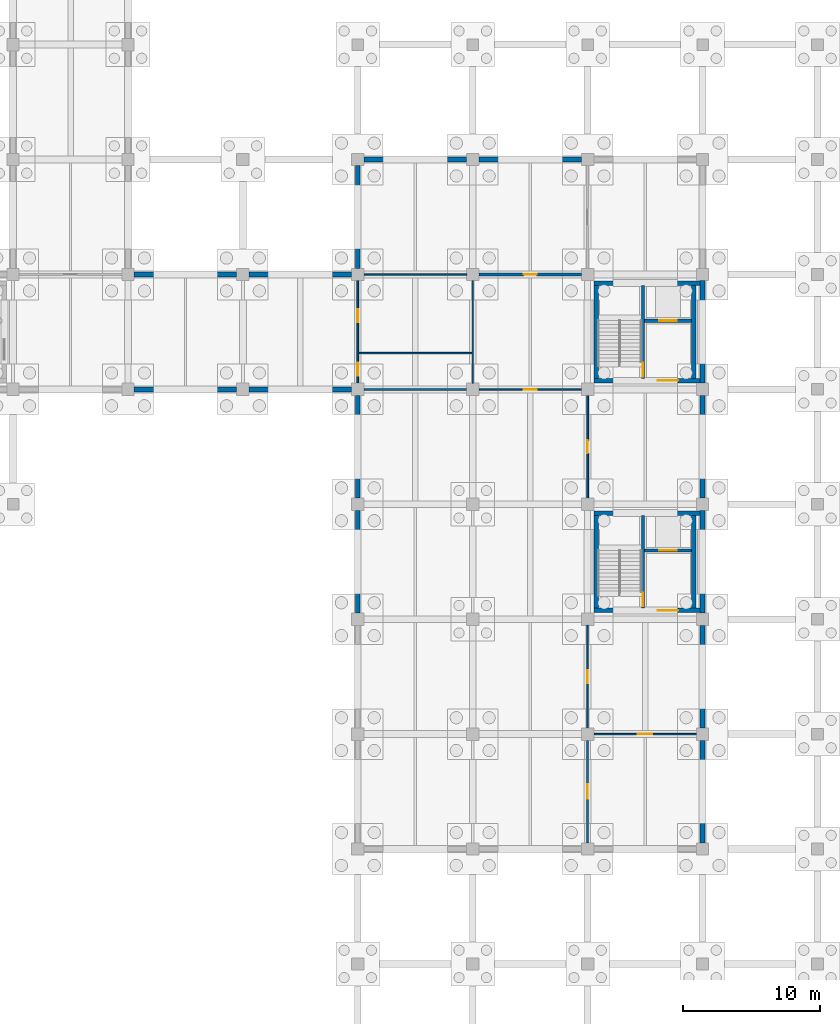
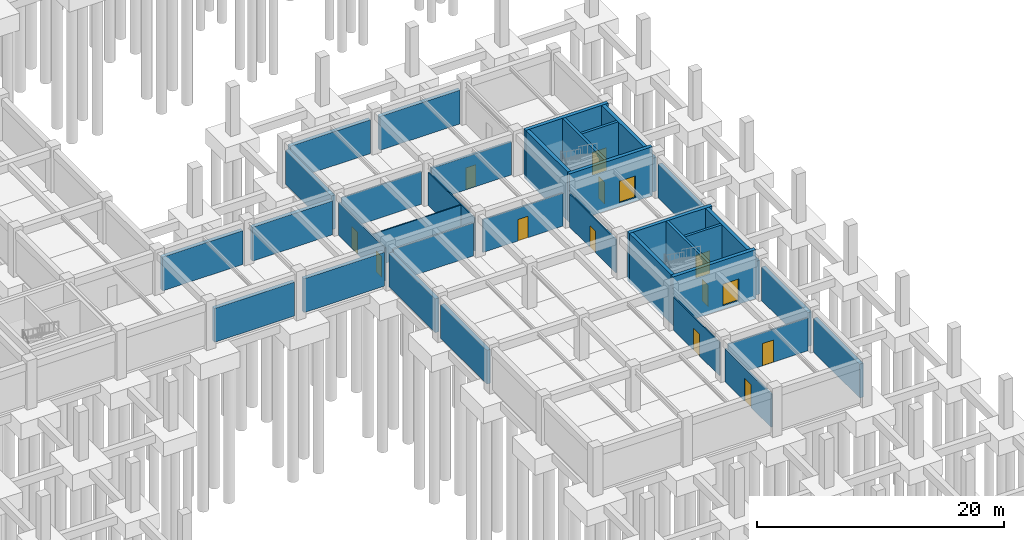
# One storey, part 24 of 29: 37 walls, 14 doors, 14 openings.
"""IFC4 building model written with IfcOpenShell, lengths in metres."""

from ifc_helpers import new_model, si_unit, direction, frame, frame_2d, origin, place, context, subcontext, project, spatial, rectangle, extrude, material, layer, layer_set, type_object, element, fill, save


model = new_model("IFC4")

# Units and contexts
model_context = context("Model", 3, precision=1e-05, world=origin(), true_north=direction((0.0, 1.0)))
body_context = subcontext(model_context, "Body", "Model", "MODEL_VIEW")
ifc_project = project(units=[si_unit("LENGTHUNIT", "METRE"), si_unit("AREAUNIT", "SQUARE_METRE"), si_unit("VOLUMEUNIT", "CUBIC_METRE"), si_unit("PLANEANGLEUNIT", "RADIAN"), si_unit("MASSUNIT", "GRAM", prefix="KILO")], contexts=[model_context])

# Site, building, storey
site_placement = place(None, origin())
site = spatial("IfcSite", under=ifc_project, at=site_placement, CompositionType="ELEMENT")
building_placement = place(site_placement, origin())
building = spatial("IfcBuilding", under=site, at=building_placement, Name="Porcellanite Civic Hall", CompositionType="ELEMENT")
storey_placement = place(building_placement, frame((0.0, 0.0, -4.5)))
storey = spatial("IfcBuildingStorey", under=building, at=storey_placement, Name="B1", CompositionType="ELEMENT", Elevation=-4.5)

# Wall, opening, door
ifc_material_1 = material(Name="Concrete N40 (40 MPa)", Category="concrete")
ifc_layer_1 = layer(ifc_material_1, 0.239990234375)
ifc_layer_set_1 = layer_set([ifc_layer_1], Name="Concrete N40 (40 MPa)")
wall_type_1 = type_object("IfcWallType", Name="CW-SH240", PredefinedType="SHEAR", material=ifc_layer_set_1)
wall_1_placement = place(storey_placement, frame((163.639892578125, 34.409912109375, -0.35009765625), z_axis=(0.0, 0.0, 1.0), x_axis=(0.0, 1.0, 0.0)))
wall_1 = element("IfcWall", 1, at=wall_1_placement, inside=storey, type_object=wall_type_1, Name="Core divider C7 B1", PredefinedType="SHEAR", context=body_context, shape_type="SweptSolid", body=[
    extrude(rectangle(XDim=6.780029296875, YDim=0.239990234375, at=frame_2d((3.39013671875, 0.0))), origin(), (0.0, 0.0, 1.0), 4.85009765625),
])
opening_1_placement = place(wall_1_placement, frame((0.1201171875, 0.0, 0.35009765625)))
opening_1 = element("IfcOpeningElement", 2, at=opening_1_placement, cuts=wall_1, Name="Opening FD-C7-B1-ST", PredefinedType="OPENING", context=body_context, shape_type="SweptSolid", body=[
    extrude(rectangle(XDim=1.0, YDim=2.14990234375, at=frame_2d((0.5, 1.074951171875))), frame((0.0, 0.1201171875, 0.0), z_axis=(0.0, -1.0, 0.0), x_axis=(1.0, 0.0, 0.0)), (0.0, 0.0, 1.0), 0.239990234375),
])
ifc_material_2 = material(Name="Fire-rated solid-core hardwood timber", Category="wood")
door_type_1 = type_object("IfcDoorType", Name="DR-FD100", OperationType="NOTDEFINED", PredefinedType="DOOR", material=ifc_material_2)
door_1_placement = place(opening_1_placement, origin())
door_1 = element("IfcDoor", 3, at=door_1_placement, inside=storey, type_object=door_type_1, Name="Fire stair door FD-C7-B1-ST", OperationType="SINGLE_SWING_RIGHT", OverallHeight=2.14990234375, OverallWidth=1.0, PredefinedType="DOOR", context=body_context, shape_type="SweptSolid", body=[
    extrude(rectangle(XDim=1.0, YDim=2.14990234375, at=frame_2d((0.5, 1.074951171875))), frame((0.0, 0.02490234375, 0.0), z_axis=(0.0, -1.0, 0.0), x_axis=(1.0, 0.0, 0.0)), (0.0, 0.0, 1.0), 0.050048828125),
])
fill(opening_1, door_1)

wall_2_placement = place(storey_placement, frame((163.760009765625, 38.6201171875, -0.35009765625), z_axis=(0.0, 0.0, 1.0), x_axis=(1.0, 0.0, 0.0)))
wall_2 = element("IfcWall", 4, at=wall_2_placement, inside=storey, type_object=wall_type_1, Name="Lift shaft wall C7 B1", PredefinedType="SHEAR", context=body_context, shape_type="SweptSolid", body=[
    extrude(rectangle(XDim=3.429931640625, YDim=0.239990234375, at=frame_2d((1.71484375, 0.0))), origin(), (0.0, 0.0, 1.0), 4.85009765625),
])
opening_2_placement = place(wall_2_placement, frame((1.06494140625, 0.0, 0.35009765625)))
opening_2 = element("IfcOpeningElement", 5, at=opening_2_placement, cuts=wall_2, Name="Opening LD-07", PredefinedType="OPENING", context=body_context, shape_type="SweptSolid", body=[
    extrude(rectangle(XDim=1.300048828125, YDim=2.25, at=frame_2d((0.64990234375, 1.125))), frame((0.0, 0.1201171875, 0.0), z_axis=(0.0, -1.0, 0.0), x_axis=(1.0, 0.0, 0.0)), (0.0, 0.0, 1.0), 0.239990234375),
])
ifc_material_3 = material(Name="Brushed stainless steel 316", Category="steel")
door_type_2 = type_object("IfcDoorType", Name="DR-LD130", OperationType="DOUBLE_DOOR_SLIDING", PredefinedType="DOOR", material=ifc_material_3)
door_2_placement = place(opening_2_placement, origin())
door_2 = element("IfcDoor", 6, at=door_2_placement, inside=storey, type_object=door_type_2, Name="Lift landing sliding door LD-07 B1", OperationType="DOUBLE_DOOR_SLIDING", OverallHeight=2.25, OverallWidth=1.300048828125, PredefinedType="DOOR", context=body_context, shape_type="SweptSolid", body=[
    extrude(rectangle(XDim=1.300048828125, YDim=2.25, at=frame_2d((0.64990234375, 1.125))), frame((0.0, 0.02490234375, 0.0), z_axis=(0.0, -1.0, 0.0), x_axis=(1.0, 0.0, 0.0)), (0.0, 0.0, 1.0), 0.050048828125),
])
fill(opening_2, door_2)

wall_3_placement = place(storey_placement, frame((163.639892578125, 51.2099609375, -0.35009765625), z_axis=(0.0, 0.0, 1.0), x_axis=(0.0, 1.0, 0.0)))
wall_3 = element("IfcWall", 7, at=wall_3_placement, inside=storey, type_object=wall_type_1, Name="Core divider C8 B1", PredefinedType="SHEAR", context=body_context, shape_type="SweptSolid", body=[
    extrude(rectangle(XDim=6.780029296875, YDim=0.239990234375, at=frame_2d((3.39013671875, 0.0))), origin(), (0.0, 0.0, 1.0), 4.85009765625),
])
opening_3_placement = place(wall_3_placement, frame((0.1201171875, 0.0, 0.35009765625)))
opening_3 = element("IfcOpeningElement", 8, at=opening_3_placement, cuts=wall_3, Name="Opening FD-C8-B1-ST", PredefinedType="OPENING", context=body_context, shape_type="SweptSolid", body=[
    extrude(rectangle(XDim=1.0, YDim=2.14990234375, at=frame_2d((0.5, 1.074951171875))), frame((0.0, 0.1201171875, 0.0), z_axis=(0.0, -1.0, 0.0), x_axis=(1.0, 0.0, 0.0)), (0.0, 0.0, 1.0), 0.239990234375),
])
door_3_placement = place(opening_3_placement, origin())
door_3 = element("IfcDoor", 9, at=door_3_placement, inside=storey, type_object=door_type_1, Name="Fire stair door FD-C8-B1-ST", OperationType="SINGLE_SWING_LEFT", OverallHeight=2.14990234375, OverallWidth=1.0, PredefinedType="DOOR", context=body_context, shape_type="SweptSolid", body=[
    extrude(rectangle(XDim=1.0, YDim=2.14990234375, at=frame_2d((0.5, 1.074951171875))), frame((0.0, 0.02490234375, 0.0), z_axis=(0.0, -1.0, 0.0), x_axis=(1.0, 0.0, 0.0)), (0.0, 0.0, 1.0), 0.050048828125),
])
fill(opening_3, door_3)

wall_4_placement = place(storey_placement, frame((163.760009765625, 55.419921875, -0.35009765625), z_axis=(0.0, 0.0, 1.0), x_axis=(1.0, 0.0, 0.0)))
wall_4 = element("IfcWall", 10, at=wall_4_placement, inside=storey, type_object=wall_type_1, Name="Lift shaft wall C8 B1", PredefinedType="SHEAR", context=body_context, shape_type="SweptSolid", body=[
    extrude(rectangle(XDim=3.429931640625, YDim=0.239990234375, at=frame_2d((1.71484375, 0.0))), origin(), (0.0, 0.0, 1.0), 4.85009765625),
])
opening_4_placement = place(wall_4_placement, frame((1.06494140625, 0.0, 0.35009765625)))
opening_4 = element("IfcOpeningElement", 11, at=opening_4_placement, cuts=wall_4, Name="Opening LD-08", PredefinedType="OPENING", context=body_context, shape_type="SweptSolid", body=[
    extrude(rectangle(XDim=1.300048828125, YDim=2.25, at=frame_2d((0.64990234375, 1.125))), frame((0.0, 0.1201171875, 0.0), z_axis=(0.0, -1.0, 0.0), x_axis=(1.0, 0.0, 0.0)), (0.0, 0.0, 1.0), 0.239990234375),
])
door_4_placement = place(opening_4_placement, origin())
door_4 = element("IfcDoor", 12, at=door_4_placement, inside=storey, type_object=door_type_2, Name="Lift landing sliding door LD-08 B1", OperationType="DOUBLE_DOOR_SLIDING", OverallHeight=2.25, OverallWidth=1.300048828125, PredefinedType="DOOR", context=body_context, shape_type="SweptSolid", body=[
    extrude(rectangle(XDim=1.300048828125, YDim=2.25, at=frame_2d((0.64990234375, 1.125))), frame((0.0, 0.02490234375, 0.0), z_axis=(0.0, -1.0, 0.0), x_axis=(1.0, 0.0, 0.0)), (0.0, 0.0, 1.0), 0.050048828125),
])
fill(opening_4, door_4)

ifc_material_4 = material(Name="Concrete N40 (40 MPa)", Category="concrete")
ifc_layer_2 = layer(ifc_material_4, 0.330078125)
ifc_layer_set_2 = layer_set([ifc_layer_2], Name="Concrete N40 (40 MPa)")
wall_type_2 = type_object("IfcWallType", Name="CW-SH330", PredefinedType="SHEAR", material=ifc_layer_set_2)
wall_5_placement = place(storey_placement, frame((167.824951171875, 34.2451171875, -0.35009765625), z_axis=(0.0, 0.0, 1.0), x_axis=(-1.0, 0.0, 0.0)))
wall_5 = element("IfcWall", 13, at=wall_5_placement, inside=storey, type_object=wall_type_2, Name="Core wall C7 B1 S", PredefinedType="SHEAR", context=body_context, shape_type="SweptSolid", body=[
    extrude(rectangle(XDim=7.744873046875, YDim=0.330078125, at=frame_2d((3.87255859375, 0.0))), origin(), (0.0, 0.0, 1.0), 4.85009765625),
])
opening_5_placement = place(wall_5_placement, frame((1.5849609375, 0.0, 0.35009765625)))
opening_5 = element("IfcOpeningElement", 14, at=opening_5_placement, cuts=wall_5, Name="Opening FD-C7-B1-LB", PredefinedType="OPENING", context=body_context, shape_type="SweptSolid", body=[
    extrude(rectangle(XDim=1.5, YDim=2.14990234375, at=frame_2d((0.75, 1.074951171875))), frame((0.0, 0.1650390625, 0.0), z_axis=(0.0, -1.0, 0.0), x_axis=(1.0, 0.0, 0.0)), (0.0, 0.0, 1.0), 0.330078125),
])
ifc_material_5 = material(Name="Fire-rated steel and Georgian wired glass", Category="steel")
door_type_3 = type_object("IfcDoorType", Name="DR-FD150", OperationType="DOUBLE_DOOR_SINGLE_SWING", PredefinedType="DOOR", material=ifc_material_5)
door_5_placement = place(opening_5_placement, origin())
door_5 = element("IfcDoor", 15, at=door_5_placement, inside=storey, type_object=door_type_3, Name="Fire lobby double door FD-C7-B1-LB", OperationType="DOUBLE_DOOR_SINGLE_SWING", OverallHeight=2.14990234375, OverallWidth=1.5, PredefinedType="DOOR", context=body_context, shape_type="SweptSolid", body=[
    extrude(rectangle(XDim=1.5, YDim=2.14990234375, at=frame_2d((0.75, 1.074951171875))), frame((0.0, 0.02490234375, 0.0), z_axis=(0.0, -1.0, 0.0), x_axis=(1.0, 0.0, 0.0)), (0.0, 0.0, 1.0), 0.050048828125),
])
fill(opening_5, door_5)

# Walls
wall_6_placement = place(storey_placement, frame((160.2451171875, 34.409912109375, -0.35009765625), z_axis=(0.0, 0.0, 1.0), x_axis=(0.0, 1.0, 0.0)))
element("IfcWall", 16, at=wall_6_placement, inside=storey, type_object=wall_type_2, Name="Core wall C7 B1 W", PredefinedType="SHEAR", context=body_context, shape_type="SweptSolid", body=[
    extrude(rectangle(XDim=6.780029296875, YDim=0.330078125, at=frame_2d((3.39013671875, 0.0))), origin(), (0.0, 0.0, 1.0), 4.85009765625),
])
wall_7_placement = place(storey_placement, frame((160.080078125, 41.35498046875, -0.35009765625), z_axis=(0.0, 0.0, 1.0), x_axis=(1.0, 0.0, 0.0)))
element("IfcWall", 17, at=wall_7_placement, inside=storey, type_object=wall_type_2, Name="Core wall C7 B1 N", PredefinedType="SHEAR", context=body_context, shape_type="SweptSolid", body=[
    extrude(rectangle(XDim=7.744873046875, YDim=0.330078125, at=frame_2d((3.87255859375, 0.0))), origin(), (0.0, 0.0, 1.0), 4.85009765625),
])
wall_8_placement = place(storey_placement, frame((167.35498046875, 41.18994140625, -0.35009765625), z_axis=(0.0, 0.0, 1.0), x_axis=(0.0, -1.0, 0.0)))
element("IfcWall", 18, at=wall_8_placement, inside=storey, type_object=wall_type_2, Name="Core wall C7 B1 E", PredefinedType="SHEAR", context=body_context, shape_type="SweptSolid", body=[
    extrude(rectangle(XDim=6.780029296875, YDim=0.330078125, at=frame_2d((3.39013671875, 0.0))), origin(), (0.0, 0.0, 1.0), 4.85009765625),
])

# Wall, opening, door
wall_9_placement = place(storey_placement, frame((167.824951171875, 51.044921875, -0.35009765625), z_axis=(0.0, 0.0, 1.0), x_axis=(-1.0, 0.0, 0.0)))
wall_9 = element("IfcWall", 19, at=wall_9_placement, inside=storey, type_object=wall_type_2, Name="Core wall C8 B1 S", PredefinedType="SHEAR", context=body_context, shape_type="SweptSolid", body=[
    extrude(rectangle(XDim=7.744873046875, YDim=0.330078125, at=frame_2d((3.87255859375, 0.0))), origin(), (0.0, 0.0, 1.0), 4.85009765625),
])
opening_6_placement = place(wall_9_placement, frame((1.5849609375, 0.0, 0.35009765625)))
opening_6 = element("IfcOpeningElement", 20, at=opening_6_placement, cuts=wall_9, Name="Opening FD-C8-B1-LB", PredefinedType="OPENING", context=body_context, shape_type="SweptSolid", body=[
    extrude(rectangle(XDim=1.5, YDim=2.14990234375, at=frame_2d((0.75, 1.074951171875))), frame((0.0, 0.1650390625, 0.0), z_axis=(0.0, -1.0, 0.0), x_axis=(1.0, 0.0, 0.0)), (0.0, 0.0, 1.0), 0.330078125),
])
door_6_placement = place(opening_6_placement, origin())
door_6 = element("IfcDoor", 21, at=door_6_placement, inside=storey, type_object=door_type_3, Name="Fire lobby double door FD-C8-B1-LB", OperationType="DOUBLE_DOOR_SINGLE_SWING", OverallHeight=2.14990234375, OverallWidth=1.5, PredefinedType="DOOR", context=body_context, shape_type="SweptSolid", body=[
    extrude(rectangle(XDim=1.5, YDim=2.14990234375, at=frame_2d((0.75, 1.074951171875))), frame((0.0, 0.02490234375, 0.0), z_axis=(0.0, -1.0, 0.0), x_axis=(1.0, 0.0, 0.0)), (0.0, 0.0, 1.0), 0.050048828125),
])
fill(opening_6, door_6)

# Walls
wall_10_placement = place(storey_placement, frame((160.2451171875, 51.2099609375, -0.35009765625), z_axis=(0.0, 0.0, 1.0), x_axis=(0.0, 1.0, 0.0)))
element("IfcWall", 22, at=wall_10_placement, inside=storey, type_object=wall_type_2, Name="Core wall C8 B1 W", PredefinedType="SHEAR", context=body_context, shape_type="SweptSolid", body=[
    extrude(rectangle(XDim=6.780029296875, YDim=0.330078125, at=frame_2d((3.39013671875, 0.0))), origin(), (0.0, 0.0, 1.0), 4.85009765625),
])
wall_11_placement = place(storey_placement, frame((160.080078125, 58.155029296875, -0.35009765625), z_axis=(0.0, 0.0, 1.0), x_axis=(1.0, 0.0, 0.0)))
element("IfcWall", 23, at=wall_11_placement, inside=storey, type_object=wall_type_2, Name="Core wall C8 B1 N", PredefinedType="SHEAR", context=body_context, shape_type="SweptSolid", body=[
    extrude(rectangle(XDim=7.744873046875, YDim=0.330078125, at=frame_2d((3.87255859375, 0.0))), origin(), (0.0, 0.0, 1.0), 4.85009765625),
])
wall_12_placement = place(storey_placement, frame((167.35498046875, 57.989990234375, -0.35009765625), z_axis=(0.0, 0.0, 1.0), x_axis=(0.0, -1.0, 0.0)))
element("IfcWall", 24, at=wall_12_placement, inside=storey, type_object=wall_type_2, Name="Core wall C8 B1 E", PredefinedType="SHEAR", context=body_context, shape_type="SweptSolid", body=[
    extrude(rectangle(XDim=6.780029296875, YDim=0.330078125, at=frame_2d((3.39013671875, 0.0))), origin(), (0.0, 0.0, 1.0), 4.85009765625),
])
ifc_material_6 = material(Name="Concrete N40 (40 MPa)", Category="concrete")
ifc_layer_3 = layer(ifc_material_6, 0.35009765625)
ifc_layer_set_3 = layer_set([ifc_layer_3], Name="Concrete N40 (40 MPa)")
wall_type_3 = type_object("IfcWallType", Name="EW-BSM350", PredefinedType="SOLIDWALL", material=ifc_layer_set_3)
for number, where, z_axis, x_axis, name in (
    (25, (133.948974609375, 50.39990234375, 0.0), (0.0, 0.0, 1.0), (-1.0, 0.0, 0.0), "Exterior wall B1 S 16-7"),
    (26, (126.450927734375, 58.800048828125, 0.0), (0.0, 0.0, 1.0), (1.0, 0.0, 0.0), "Exterior wall B1 N 16-7"),
    (27, (142.34912109375, 50.39990234375, 0.0), (0.0, 0.0, 1.0), (-1.0, 0.0, 0.0), "Exterior wall B1 S 17-7"),
    (28, (134.85107421875, 58.800048828125, 0.0), (0.0, 0.0, 1.0), (1.0, 0.0, 0.0), "Exterior wall B1 N 17-7"),
    (29, (142.800048828125, 34.051025390625, 0.0), (0.0, 0.0, 1.0), (0.0, 1.0, 0.0), "Exterior wall B1 W 18-5"),
    (30, (142.800048828125, 42.450927734375, 0.0), (0.0, 0.0, 1.0), (0.0, 1.0, 0.0), "Exterior wall B1 W 18-6"),
    (31, (142.800048828125, 59.2509765625, 0.0), (0.0, 0.0, 1.0), (0.0, 1.0, 0.0), "Exterior wall B1 W 18-8"),
    (32, (143.2509765625, 67.199951171875, 0.0), (0.0, 0.0, 1.0), (1.0, 0.0, 0.0), "Exterior wall B1 N 18-8"),
    (33, (151.65087890625, 67.199951171875, 0.0), (0.0, 0.0, 1.0), (1.0, 0.0, 0.0), "Exterior wall B1 N 19-8"),
    (34, (168.0, 24.7490234375, 0.0), (0.0, 0.0, 1.0), (0.0, -1.0, 0.0), "Exterior wall B1 E 20-3"),
    (35, (168.0, 33.14892578125, 0.0), (0.0, 0.0, 1.0), (0.0, -1.0, 0.0), "Exterior wall B1 E 20-4"),
    (36, (168.0, 41.549072265625, 0.0), (0.0, 0.0, 1.0), (0.0, -1.0, 0.0), "Exterior wall B1 E 20-5"),
    (37, (168.0, 49.948974609375, 0.0), (0.0, 0.0, 1.0), (0.0, -1.0, 0.0), "Exterior wall B1 E 20-6"),
    (38, (168.0, 58.34912109375, 0.0), (0.0, 0.0, 1.0), (0.0, -1.0, 0.0), "Exterior wall B1 E 20-7"),
):
    element("IfcWall", number, at=place(storey_placement, frame(where, z_axis=z_axis, x_axis=x_axis)), inside=storey, type_object=wall_type_3, Name=name, PredefinedType="SOLIDWALL", context=body_context, shape_type="SweptSolid", body=[
        extrude(rectangle(XDim=7.498046875, YDim=0.35009765625, at=frame_2d((3.7490234375, 0.0))), origin(), (0.0, 0.0, 1.0), 3.35009765625),
    ])
ifc_material_7 = material(Name="Insulated acoustic plasterboard on light-gauge steel studs", Category="steel")
ifc_layer_4 = layer(ifc_material_7, 0.10498046875)
ifc_layer_set_4 = layer_set([ifc_layer_4], Name="Insulated acoustic plasterboard on light-gauge steel studs")
wall_type_4 = type_object("IfcWallType", Name="IW-PT105", PredefinedType="PARTITIONING", material=ifc_layer_set_4)
wall_13_placement = place(storey_placement, frame((143.251953125, 58.800048828125, 0.0), z_axis=(0.0, 0.0, 1.0), x_axis=(1.0, 0.0, 0.0)))
element("IfcWall", 39, at=wall_13_placement, inside=storey, type_object=wall_type_4, Name="Partition B1 H 18-7", PredefinedType="PARTITIONING", context=body_context, shape_type="SweptSolid", body=[
    extrude(rectangle(XDim=7.49609375, YDim=0.10498046875, at=frame_2d((3.748046875, 0.0))), origin(), (0.0, 0.0, 1.0), 3.27001953125),
])
wall_14_placement = place(storey_placement, frame((151.199951171875, 50.85205078125, 0.0), z_axis=(0.0, 0.0, 1.0), x_axis=(0.0, 1.0, 0.0)))
element("IfcWall", 40, at=wall_14_placement, inside=storey, type_object=wall_type_4, Name="Partition B1 V 18-7", PredefinedType="PARTITIONING", context=body_context, shape_type="SweptSolid", body=[
    extrude(rectangle(XDim=7.495849609375, YDim=0.10498046875, at=frame_2d((3.748046875, 0.0))), origin(), (0.0, 0.0, 1.0), 3.27001953125),
])

# Wall, opening, door
wall_15_placement = place(storey_placement, frame((159.60009765625, 25.652099609375, 0.0), z_axis=(0.0, 0.0, 1.0), x_axis=(0.0, 1.0, 0.0)))
wall_15 = element("IfcWall", 41, at=wall_15_placement, inside=storey, type_object=wall_type_4, Name="Partition B1 V 19-4", PredefinedType="PARTITIONING", context=body_context, shape_type="SweptSolid", body=[
    extrude(rectangle(XDim=7.495849609375, YDim=0.10498046875, at=frame_2d((3.748046875, 0.0))), origin(), (0.0, 0.0, 1.0), 3.27001953125),
])
opening_7_placement = place(wall_15_placement, frame((3.26806640625, 0.0, 0.0)))
opening_7 = element("IfcOpeningElement", 42, at=opening_7_placement, cuts=wall_15, Name="Opening D-B1-019", PredefinedType="OPENING", context=body_context, shape_type="SweptSolid", body=[
    extrude(rectangle(XDim=0.9599609375, YDim=2.179931640625, at=frame_2d((0.47998046875, 1.08984375))), frame((0.0, 0.052490234375, 0.0), z_axis=(0.0, -1.0, 0.0), x_axis=(1.0, 0.0, 0.0)), (0.0, 0.0, 1.0), 0.10498046875),
])
ifc_material_8 = material(Name="Solid-core spotted-gum timber", Category="wood")
door_type_4 = type_object("IfcDoorType", Name="DR-RM096", OperationType="NOTDEFINED", PredefinedType="DOOR", material=ifc_material_8)
door_7_placement = place(opening_7_placement, origin())
door_7 = element("IfcDoor", 43, at=door_7_placement, inside=storey, type_object=door_type_4, Name="Interior door D-B1-019", OperationType="SINGLE_SWING_RIGHT", OverallHeight=2.179931640625, OverallWidth=0.9599609375, PredefinedType="DOOR", context=body_context, shape_type="SweptSolid", body=[
    extrude(rectangle(XDim=0.9599609375, YDim=2.179931640625, at=frame_2d((0.47998046875, 1.08984375))), frame((0.0, 0.02490234375, 0.0), z_axis=(0.0, -1.0, 0.0), x_axis=(1.0, 0.0, 0.0)), (0.0, 0.0, 1.0), 0.050048828125),
])
fill(opening_7, door_7)

# Wall
wall_16_placement = place(storey_placement, frame((142.869384765625, 53.050048828125, 0.0), z_axis=(0.0, 0.0, 1.0), x_axis=(1.0, 0.0, 0.0)))
element("IfcWall", 44, at=wall_16_placement, inside=storey, type_object=wall_type_4, Name="Partition B1 sub 18-7", PredefinedType="PARTITIONING", context=body_context, shape_type="SweptSolid", body=[
    extrude(rectangle(XDim=8.276123046875, YDim=0.10498046875, at=frame_2d((4.13818359375, 0.0))), origin(), (0.0, 0.0, 1.0), 3.27001953125),
])

# Wall, opening, door
ifc_material_9 = material(Name="Insulated acoustic plasterboard on light-gauge steel studs", Category="steel")
ifc_layer_5 = layer(ifc_material_9, 0.125)
ifc_layer_set_5 = layer_set([ifc_layer_5], Name="Insulated acoustic plasterboard on light-gauge steel studs")
wall_type_5 = type_object("IfcWallType", Name="IW-PT125", PredefinedType="PARTITIONING", material=ifc_layer_set_5)
wall_17_placement = place(storey_placement, frame((151.652099609375, 50.39990234375, 0.0), z_axis=(0.0, 0.0, 1.0), x_axis=(1.0, 0.0, 0.0)))
wall_17 = element("IfcWall", 45, at=wall_17_placement, inside=storey, type_object=wall_type_5, Name="Partition B1 H 19-6", PredefinedType="PARTITIONING", context=body_context, shape_type="SweptSolid", body=[
    extrude(rectangle(XDim=7.495849609375, YDim=0.125, at=frame_2d((3.748046875, 0.0))), origin(), (0.0, 0.0, 1.0), 3.27001953125),
])
opening_8_placement = place(wall_17_placement, frame((3.262939453125, 0.0, 0.0)))
opening_8 = element("IfcOpeningElement", 46, at=opening_8_placement, cuts=wall_17, Name="Opening D-B1-024", PredefinedType="OPENING", context=body_context, shape_type="SweptSolid", body=[
    extrude(rectangle(XDim=0.969970703125, YDim=2.1201171875, at=frame_2d((0.48486328125, 1.06005859375))), frame((0.0, 0.0625, 0.0), z_axis=(0.0, -1.0, 0.0), x_axis=(1.0, 0.0, 0.0)), (0.0, 0.0, 1.0), 0.125),
])
ifc_material_10 = material(Name="Solid-core spotted-gum timber", Category="wood")
door_type_5 = type_object("IfcDoorType", Name="DR-RM097", OperationType="NOTDEFINED", PredefinedType="DOOR", material=ifc_material_10)
door_8_placement = place(opening_8_placement, origin())
door_8 = element("IfcDoor", 47, at=door_8_placement, inside=storey, type_object=door_type_5, Name="Interior door D-B1-024", OperationType="SINGLE_SWING_LEFT", OverallHeight=2.1201171875, OverallWidth=0.969970703125, PredefinedType="DOOR", context=body_context, shape_type="SweptSolid", body=[
    extrude(rectangle(XDim=0.969970703125, YDim=2.1201171875, at=frame_2d((0.48486328125, 1.06005859375))), frame((0.0, 0.02490234375, 0.0), z_axis=(0.0, -1.0, 0.0), x_axis=(1.0, 0.0, 0.0)), (0.0, 0.0, 1.0), 0.050048828125),
])
fill(opening_8, door_8)

wall_18_placement = place(storey_placement, frame((160.052001953125, 25.199951171875, 0.0), z_axis=(0.0, 0.0, 1.0), x_axis=(1.0, 0.0, 0.0)))
wall_18 = element("IfcWall", 48, at=wall_18_placement, inside=storey, type_object=wall_type_5, Name="Partition B1 H 20-3", PredefinedType="PARTITIONING", context=body_context, shape_type="SweptSolid", body=[
    extrude(rectangle(XDim=7.49609375, YDim=0.125, at=frame_2d((3.748046875, 0.0))), origin(), (0.0, 0.0, 1.0), 3.27001953125),
])
opening_9_placement = place(wall_18_placement, frame((3.22802734375, 0.0, 0.0)))
opening_9 = element("IfcOpeningElement", 49, at=opening_9_placement, cuts=wall_18, Name="Opening D-B1-015", PredefinedType="OPENING", context=body_context, shape_type="SweptSolid", body=[
    extrude(rectangle(XDim=1.0400390625, YDim=2.199951171875, at=frame_2d((0.52001953125, 1.10009765625))), frame((0.0, 0.0625, 0.0), z_axis=(0.0, -1.0, 0.0), x_axis=(1.0, 0.0, 0.0)), (0.0, 0.0, 1.0), 0.125),
])
ifc_material_11 = material(Name="Solid-core spotted-gum timber", Category="wood")
door_type_6 = type_object("IfcDoorType", Name="DR-RM104", OperationType="NOTDEFINED", PredefinedType="DOOR", material=ifc_material_11)
door_9_placement = place(opening_9_placement, origin())
door_9 = element("IfcDoor", 50, at=door_9_placement, inside=storey, type_object=door_type_6, Name="Interior door D-B1-015", OperationType="SINGLE_SWING_RIGHT", OverallHeight=2.199951171875, OverallWidth=1.0400390625, PredefinedType="DOOR", context=body_context, shape_type="SweptSolid", body=[
    extrude(rectangle(XDim=1.0400390625, YDim=2.199951171875, at=frame_2d((0.52001953125, 1.10009765625))), frame((0.0, 0.02490234375, 0.0), z_axis=(0.0, -1.0, 0.0), x_axis=(1.0, 0.0, 0.0)), (0.0, 0.0, 1.0), 0.050048828125),
])
fill(opening_9, door_9)

wall_19_placement = place(storey_placement, frame((159.60009765625, 42.451904296875, 0.0), z_axis=(0.0, 0.0, 1.0), x_axis=(0.0, 1.0, 0.0)))
wall_19 = element("IfcWall", 51, at=wall_19_placement, inside=storey, type_object=wall_type_5, Name="Partition B1 V 19-6", PredefinedType="PARTITIONING", context=body_context, shape_type="SweptSolid", body=[
    extrude(rectangle(XDim=7.49609375, YDim=0.125, at=frame_2d((3.748046875, 0.0))), origin(), (0.0, 0.0, 1.0), 3.27001953125),
])
opening_10_placement = place(wall_19_placement, frame((3.278076171875, 0.0, 0.0)))
opening_10 = element("IfcOpeningElement", 52, at=opening_10_placement, cuts=wall_19, Name="Opening D-B1-020", PredefinedType="OPENING", context=body_context, shape_type="SweptSolid", body=[
    extrude(rectangle(XDim=0.93994140625, YDim=2.14990234375, at=frame_2d((0.469970703125, 1.074951171875))), frame((0.0, 0.0625, 0.0), z_axis=(0.0, -1.0, 0.0), x_axis=(1.0, 0.0, 0.0)), (0.0, 0.0, 1.0), 0.125),
])
ifc_material_12 = material(Name="Solid-core spotted-gum timber", Category="wood")
door_type_7 = type_object("IfcDoorType", Name="DR-RM094", OperationType="NOTDEFINED", PredefinedType="DOOR", material=ifc_material_12)
door_10_placement = place(opening_10_placement, origin())
door_10 = element("IfcDoor", 53, at=door_10_placement, inside=storey, type_object=door_type_7, Name="Interior door D-B1-020", OperationType="SINGLE_SWING_LEFT", OverallHeight=2.14990234375, OverallWidth=0.93994140625, PredefinedType="DOOR", context=body_context, shape_type="SweptSolid", body=[
    extrude(rectangle(XDim=0.93994140625, YDim=2.14990234375, at=frame_2d((0.469970703125, 1.074951171875))), frame((0.0, 0.02490234375, 0.0), z_axis=(0.0, -1.0, 0.0), x_axis=(1.0, 0.0, 0.0)), (0.0, 0.0, 1.0), 0.050048828125),
])
fill(opening_10, door_10)

# Wall, openings, doors
ifc_material_13 = material(Name="Insulated acoustic plasterboard on light-gauge steel studs", Category="steel")
ifc_layer_6 = layer(ifc_material_13, 0.135009765625)
ifc_layer_set_6 = layer_set([ifc_layer_6], Name="Insulated acoustic plasterboard on light-gauge steel studs")
wall_type_6 = type_object("IfcWallType", Name="IW-PT135", PredefinedType="PARTITIONING", material=ifc_layer_set_6)
wall_20_placement = place(storey_placement, frame((142.800048828125, 50.85205078125, 0.0), z_axis=(0.0, 0.0, 1.0), x_axis=(0.0, 1.0, 0.0)))
wall_20 = element("IfcWall", 54, at=wall_20_placement, inside=storey, type_object=wall_type_6, Name="Partition B1 V 17-7", PredefinedType="PARTITIONING", context=body_context, shape_type="SweptSolid", body=[
    extrude(rectangle(XDim=7.495849609375, YDim=0.135009765625, at=frame_2d((3.748046875, 0.0))), origin(), (0.0, 0.0, 1.0), 3.27001953125),
])
opening_11_placement = place(wall_20_placement, frame((0.54296875, 0.0, 0.0)))
opening_11 = element("IfcOpeningElement", 55, at=opening_11_placement, cuts=wall_20, Name="Opening D-B1-003", PredefinedType="OPENING", context=body_context, shape_type="SweptSolid", body=[
    extrude(rectangle(XDim=0.93994140625, YDim=2.080078125, at=frame_2d((0.469970703125, 1.0400390625))), frame((0.0, 0.0673828125, 0.0), z_axis=(0.0, -1.0, 0.0), x_axis=(1.0, 0.0, 0.0)), (0.0, 0.0, 1.0), 0.135009765625),
])
opening_12_placement = place(wall_20_placement, frame((4.452880859375, 0.0, 0.0)))
opening_12 = element("IfcOpeningElement", 56, at=opening_12_placement, cuts=wall_20, Name="Opening D-B1-004", PredefinedType="OPENING", context=body_context, shape_type="SweptSolid", body=[
    extrude(rectangle(XDim=0.9599609375, YDim=2.10009765625, at=frame_2d((0.47998046875, 1.050048828125))), frame((0.0, 0.0673828125, 0.0), z_axis=(0.0, -1.0, 0.0), x_axis=(1.0, 0.0, 0.0)), (0.0, 0.0, 1.0), 0.135009765625),
])
ifc_material_14 = material(Name="Moisture-resistant laminate solid-core timber", Category="wood")
door_type_8 = type_object("IfcDoorType", Name="DR-WC094", OperationType="NOTDEFINED", PredefinedType="DOOR", material=ifc_material_14)
door_11_placement = place(opening_11_placement, origin())
door_11 = element("IfcDoor", 57, at=door_11_placement, inside=storey, type_object=door_type_8, Name="Interior door D-B1-003", OperationType="SINGLE_SWING_RIGHT", OverallHeight=2.080078125, OverallWidth=0.93994140625, PredefinedType="DOOR", context=body_context, shape_type="SweptSolid", body=[
    extrude(rectangle(XDim=0.93994140625, YDim=2.080078125, at=frame_2d((0.469970703125, 1.0400390625))), frame((0.0, 0.02490234375, 0.0), z_axis=(0.0, -1.0, 0.0), x_axis=(1.0, 0.0, 0.0)), (0.0, 0.0, 1.0), 0.050048828125),
])
fill(opening_11, door_11)
ifc_material_15 = material(Name="Moisture-resistant laminate solid-core timber", Category="wood")
door_type_9 = type_object("IfcDoorType", Name="DR-WC096", OperationType="NOTDEFINED", PredefinedType="DOOR", material=ifc_material_15)
door_12_placement = place(opening_12_placement, origin())
door_12 = element("IfcDoor", 58, at=door_12_placement, inside=storey, type_object=door_type_9, Name="Interior door D-B1-004", OperationType="SINGLE_SWING_LEFT", OverallHeight=2.10009765625, OverallWidth=0.9599609375, PredefinedType="DOOR", context=body_context, shape_type="SweptSolid", body=[
    extrude(rectangle(XDim=0.9599609375, YDim=2.10009765625, at=frame_2d((0.47998046875, 1.050048828125))), frame((0.0, 0.02490234375, 0.0), z_axis=(0.0, -1.0, 0.0), x_axis=(1.0, 0.0, 0.0)), (0.0, 0.0, 1.0), 0.050048828125),
])
fill(opening_12, door_12)

# Wall
ifc_material_16 = material(Name="Insulated acoustic plasterboard on light-gauge steel studs", Category="steel")
ifc_layer_7 = layer(ifc_material_16, 0.155029296875)
ifc_layer_set_7 = layer_set([ifc_layer_7], Name="Insulated acoustic plasterboard on light-gauge steel studs")
wall_type_7 = type_object("IfcWallType", Name="IW-PT155", PredefinedType="PARTITIONING", material=ifc_layer_set_7)
wall_21_placement = place(storey_placement, frame((143.251953125, 50.39990234375, 0.0), z_axis=(0.0, 0.0, 1.0), x_axis=(1.0, 0.0, 0.0)))
element("IfcWall", 59, at=wall_21_placement, inside=storey, type_object=wall_type_7, Name="Partition B1 H 18-6", PredefinedType="PARTITIONING", context=body_context, shape_type="SweptSolid", body=[
    extrude(rectangle(XDim=7.49609375, YDim=0.155029296875, at=frame_2d((3.748046875, 0.0))), origin(), (0.0, 0.0, 1.0), 3.27001953125),
])

# Wall, opening, door
wall_22_placement = place(storey_placement, frame((159.60009765625, 17.251953125, 0.0), z_axis=(0.0, 0.0, 1.0), x_axis=(0.0, 1.0, 0.0)))
wall_22 = element("IfcWall", 60, at=wall_22_placement, inside=storey, type_object=wall_type_7, Name="Partition B1 V 19-3", PredefinedType="PARTITIONING", context=body_context, shape_type="SweptSolid", body=[
    extrude(rectangle(XDim=7.49609375, YDim=0.155029296875, at=frame_2d((3.748046875, 0.0))), origin(), (0.0, 0.0, 1.0), 3.27001953125),
])
opening_13_placement = place(wall_22_placement, frame((3.218017578125, 0.0, 0.0)))
opening_13 = element("IfcOpeningElement", 61, at=opening_13_placement, cuts=wall_22, Name="Opening D-B1-027", PredefinedType="OPENING", context=body_context, shape_type="SweptSolid", body=[
    extrude(rectangle(XDim=1.06005859375, YDim=2.25, at=frame_2d((0.530029296875, 1.125))), frame((0.0, 0.07763671875, 0.0), z_axis=(0.0, -1.0, 0.0), x_axis=(1.0, 0.0, 0.0)), (0.0, 0.0, 1.0), 0.155029296875),
])
ifc_material_17 = material(Name="Solid-core spotted-gum timber", Category="wood")
door_type_10 = type_object("IfcDoorType", Name="DR-RM106", OperationType="NOTDEFINED", PredefinedType="DOOR", material=ifc_material_17)
door_13_placement = place(opening_13_placement, origin())
door_13 = element("IfcDoor", 62, at=door_13_placement, inside=storey, type_object=door_type_10, Name="Interior door D-B1-027", OperationType="SINGLE_SWING_LEFT", OverallHeight=2.25, OverallWidth=1.06005859375, PredefinedType="DOOR", context=body_context, shape_type="SweptSolid", body=[
    extrude(rectangle(XDim=1.06005859375, YDim=2.25, at=frame_2d((0.530029296875, 1.125))), frame((0.0, 0.02490234375, 0.0), z_axis=(0.0, -1.0, 0.0), x_axis=(1.0, 0.0, 0.0)), (0.0, 0.0, 1.0), 0.050048828125),
])
fill(opening_13, door_13)

ifc_material_18 = material(Name="Insulated acoustic plasterboard on light-gauge steel studs", Category="steel")
ifc_layer_8 = layer(ifc_material_18, 0.195068359375)
ifc_layer_set_8 = layer_set([ifc_layer_8], Name="Insulated acoustic plasterboard on light-gauge steel studs")
wall_type_8 = type_object("IfcWallType", Name="IW-PT195", PredefinedType="PARTITIONING", material=ifc_layer_set_8)
wall_23_placement = place(storey_placement, frame((151.652099609375, 58.800048828125, 0.0), z_axis=(0.0, 0.0, 1.0), x_axis=(1.0, 0.0, 0.0)))
wall_23 = element("IfcWall", 63, at=wall_23_placement, inside=storey, type_object=wall_type_8, Name="Partition B1 H 19-7", PredefinedType="PARTITIONING", context=body_context, shape_type="SweptSolid", body=[
    extrude(rectangle(XDim=7.495849609375, YDim=0.195068359375, at=frame_2d((3.748046875, 0.0))), origin(), (0.0, 0.0, 1.0), 3.27001953125),
])
opening_14_placement = place(wall_23_placement, frame((3.282958984375, 0.0, 0.0)))
opening_14 = element("IfcOpeningElement", 64, at=opening_14_placement, cuts=wall_23, Name="Opening D-B1-025", PredefinedType="OPENING", context=body_context, shape_type="SweptSolid", body=[
    extrude(rectangle(XDim=0.929931640625, YDim=2.1201171875, at=frame_2d((0.46484375, 1.06005859375))), frame((0.0, 0.09765625, 0.0), z_axis=(0.0, -1.0, 0.0), x_axis=(1.0, 0.0, 0.0)), (0.0, 0.0, 1.0), 0.195068359375),
])
ifc_material_19 = material(Name="Solid-core spotted-gum timber", Category="wood")
door_type_11 = type_object("IfcDoorType", Name="DR-RM093", OperationType="NOTDEFINED", PredefinedType="DOOR", material=ifc_material_19)
door_14_placement = place(opening_14_placement, origin())
door_14 = element("IfcDoor", 65, at=door_14_placement, inside=storey, type_object=door_type_11, Name="Interior door D-B1-025", OperationType="SINGLE_SWING_RIGHT", OverallHeight=2.1201171875, OverallWidth=0.929931640625, PredefinedType="DOOR", context=body_context, shape_type="SweptSolid", body=[
    extrude(rectangle(XDim=0.929931640625, YDim=2.1201171875, at=frame_2d((0.46484375, 1.06005859375))), frame((0.0, 0.02490234375, 0.0), z_axis=(0.0, -1.0, 0.0), x_axis=(1.0, 0.0, 0.0)), (0.0, 0.0, 1.0), 0.050048828125),
])
fill(opening_14, door_14)

save(model, "model.ifc")
